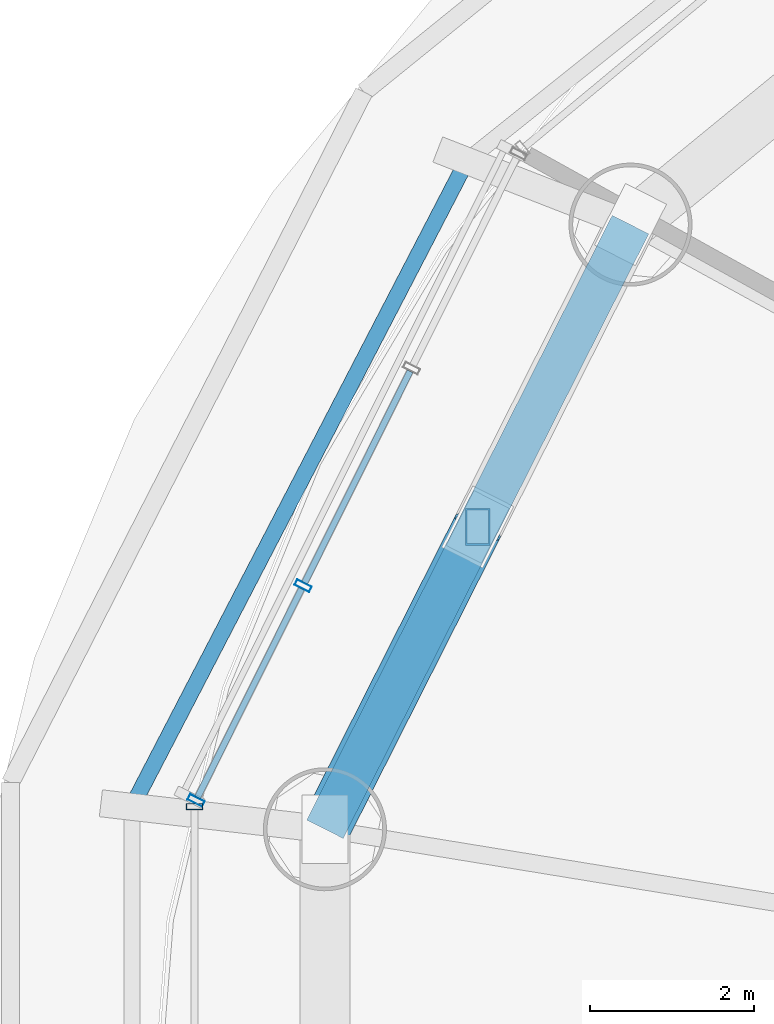
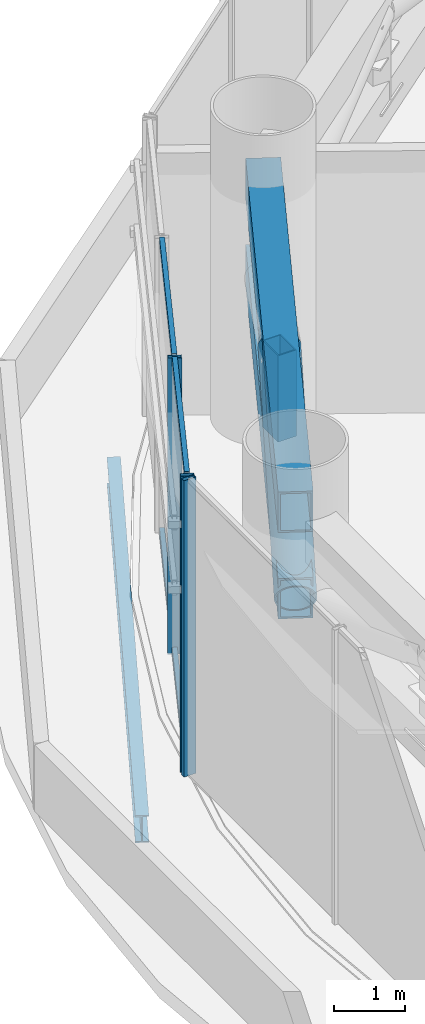
# One storey, part 10 of 33: 11 members, 1 beam, 2 elements without a shape of their own.
"""IFC4 building model written with IfcOpenShell, lengths in metres."""

from ifc_helpers import new_model, si_unit, direction, frame, origin, origin_2d, place, context, subcontext, project, spatial, hollow_rectangle, hollow_circle, i_section, extrude, source, transform, mapped, material, material_profile, profile_set, type_object, element, aggregate, save


model = new_model("IFC4")

# Units and contexts
model_context = context("Model", 3, precision=1e-05, world=origin(), true_north=direction((-0.2419218956, 0.970295726276)))
body_context = subcontext(model_context, "Body", "Model", "MODEL_VIEW")
ifc_project = project(units=[si_unit("LENGTHUNIT", "METRE"), si_unit("AREAUNIT", "SQUARE_METRE"), si_unit("VOLUMEUNIT", "CUBIC_METRE"), si_unit("PLANEANGLEUNIT", "RADIAN"), si_unit("MASSUNIT", "GRAM", prefix="KILO")], contexts=[model_context])

# Site, building, storey
site_placement = place(None, origin())
site = spatial("IfcSite", under=ifc_project, at=site_placement, CompositionType="ELEMENT")
building_placement = place(site_placement, origin())
building = spatial("IfcBuilding", under=site, at=building_placement, Name="Cobrevalo Terracotta Tower", CompositionType="ELEMENT")
storey_placement = place(building_placement, frame((0.0, 0.0, 74.39990234375)))
storey = spatial("IfcBuildingStorey", under=building, at=storey_placement, Name="L19", CompositionType="ELEMENT", Elevation=74.39990234375)

# Beam
ifc_material_1 = material(Name="Steel S355", Category="steel")
ifc_material_profile_1 = material_profile(ifc_material_1, i_section(OverallWidth=0.194091796875, OverallDepth=0.468994140625, WebThickness=0.011474609375, FlangeThickness=0.0205078125, at=origin_2d()), Name="W 460x106")
ifc_profile_set_1 = profile_set([ifc_material_profile_1], Name="Steel S355")
beam_type = type_object("IfcBeamType", Name="Structural Spandrel W 460x106 (Steel S355)", PredefinedType="SPANDREL", material=ifc_profile_set_1)
beam_placement = place(storey_placement, frame((15.25927734375, 38.939208984375, -0.684326171875), z_axis=(-0.460285838799, -0.88777077368, 0.0), x_axis=(0.88777077368, -0.460285838799, 0.0)))
element("IfcBeam", 1, at=beam_placement, inside=storey, type_object=beam_type, Name="L19 perimeter ring spandrel 07", PredefinedType="SPANDREL", context=body_context, shape_type="SweptSolid", body=[
    extrude(i_section(OverallWidth=0.194091796875, OverallDepth=0.468994140625, WebThickness=0.011474609375, FlangeThickness=0.0205078125, at=origin_2d()), origin(), (0.0, 0.0, 1.0), 8.8720703125),
])

# Members
ifc_material_profile_2 = material_profile(ifc_material_1, hollow_rectangle(XDim=0.5, YDim=0.699951171875, WallThickness=0.031982421875, at=origin_2d()), Name="RHS 700x500x32")
ifc_profile_set_2 = profile_set([ifc_material_profile_2], Name="Steel S355")
member_type_1 = type_object("IfcMemberType", Name="Steel Chord RHS 700x500x32 (Steel S355)", PredefinedType="CHORD", material=ifc_profile_set_2)
shared_shape_1 = source(origin(), body_context, "Body", "SweptSolid", [
    extrude(hollow_rectangle(XDim=0.5, YDim=0.699951171875, WallThickness=0.031982421875, at=origin_2d()), origin(), (0.0, 0.0, 1.0), 8.259765625),
])
for number, where, z_axis, x_axis, name in (
    (2, (17.2548828125, 38.161376953125, 2.650146484375), (-0.451051982172, -0.892497680321, 0.0), (0.892497680321, -0.451051982172, 0.0), "L19 belt truss chord 07-BC"),
    (3, (17.2548828125, 38.161376953125, 4.14501953125), (-0.451051982172, -0.892497680321, 0.0), (0.892497680321, -0.451051982172, 0.0), "L19 belt truss chord 07-TC"),
):
    element("IfcMember", number, at=place(storey_placement, frame(where, z_axis=z_axis, x_axis=x_axis)), inside=storey, type_object=member_type_1, Name=name, PredefinedType="CHORD", context=body_context, shape_type="MappedRepresentation", body=[
        mapped(shared_shape_1, transform((0.0, 0.0, 0.0), scale=1.0)),
    ])
ifc_material_profile_3 = material_profile(ifc_material_1, hollow_rectangle(XDim=0.300048828125, YDim=0.449951171875, WallThickness=0.02001953125, at=origin_2d()), Name="RHS 450x300x20")
ifc_profile_set_3 = profile_set([ifc_material_profile_3], Name="Steel S355")
member_type_2 = type_object("IfcMemberType", Name="Steel Post RHS 450x300x20 (Steel S355)", PredefinedType="POST", material=ifc_profile_set_3)
shared_shape_2 = source(origin(), body_context, "Body", "SweptSolid", [
    extrude(hollow_rectangle(XDim=0.300048828125, YDim=0.449951171875, WallThickness=0.02001953125, at=origin_2d()), origin(), (0.0, 0.0, 1.0), 1.494873046875),
])
member_1_placement = place(storey_placement, frame((15.39208984375, 34.4755859375, 2.650146484375), z_axis=(0.0, 0.0, 1.0), x_axis=(1.0, 0.0, 0.0)))
element("IfcMember", 4, at=member_1_placement, inside=storey, type_object=member_type_2, Name="L19 belt truss post 07", PredefinedType="POST", context=body_context, shape_type="MappedRepresentation", body=[
    mapped(shared_shape_2, transform((0.0, 0.0, 0.0), scale=1.0)),
])
ifc_material_profile_4 = material_profile(ifc_material_1, hollow_circle(Radius=0.304931640625, WallThickness=0.02490234375, at=origin_2d()), Name="CHS 610x25")
ifc_profile_set_4 = profile_set([ifc_material_profile_4], Name="Steel S355")
member_type_3 = type_object("IfcMemberType", Name="Steel Brace CHS 610x25 (Steel S355)", PredefinedType="BRACE", material=ifc_profile_set_4)
shared_shape_3 = source(origin(), body_context, "Body", "SweptSolid", [
    extrude(hollow_circle(Radius=0.304931640625, WallThickness=0.02490234375, at=origin_2d()), origin(), (0.0, 0.0, 1.0), 4.39208984375),
])
member_2_placement = place(storey_placement, frame((13.529296875, 30.78955078125, 2.650146484375), z_axis=(0.424113025745, 0.839221292622, 0.340346534291), x_axis=(-0.892503693554, 0.451040083575, 0.0)))
element("IfcMember", 5, at=member_2_placement, inside=storey, type_object=member_type_3, Name="L19 belt truss diagonal brace 07-D2", PredefinedType="BRACE", context=body_context, shape_type="MappedRepresentation", body=[
    mapped(shared_shape_3, transform((0.0, 0.0, 0.0), scale=1.0)),
])

# Curtain wall, members
ifc_material_2 = material(Name="Anodized aluminium", Category="aluminium")
curtain_wall_type = type_object("IfcCurtainWallType", Name="Belt-truss plant acoustic weather-louvre curtain wall CW-LV", PredefinedType="NOTDEFINED", material=ifc_material_2)
curtain_wall_1_placement = place(storey_placement, origin())
curtain_wall_1 = element("IfcCurtainWall", 6, at=curtain_wall_1_placement, inside=storey, type_object=curtain_wall_type, Name="L19 curtain wall CW-LV-L19-S07", PredefinedType="NOTDEFINED")
ifc_material_profile_5 = material_profile(ifc_material_2, hollow_rectangle(XDim=0.074951171875, YDim=0.199951171875, WallThickness=0.0048828125, at=origin_2d()), Name="CWM 75x200")
ifc_profile_set_5 = profile_set([ifc_material_profile_5], Name="Anodized aluminium")
member_type_4 = type_object("IfcMemberType", Name="Lower/mid tower unitised mullion 75x200", PredefinedType="MULLION", material=ifc_profile_set_5)
shared_shape_4 = source(origin(), body_context, "Body", "SweptSolid", [
    extrude(hollow_rectangle(XDim=0.074951171875, YDim=0.199951171875, WallThickness=0.0048828125, at=origin_2d()), origin(), (0.0, 0.0, 1.0), 5.125),
])
member_3_placement = place(storey_placement, frame((13.262939453125, 33.757568359375, 0.0), z_axis=(0.0, 0.0, 1.0), x_axis=(-0.446260290227, -0.894903208937, 0.0)))
member_3 = element("IfcMember", 7, at=member_3_placement, type_object=member_type_4, Name="CW-LV-L19-S07 vertical mullion 03", PredefinedType="MULLION", context=body_context, shape_type="MappedRepresentation", body=[
    mapped(shared_shape_4, transform((0.0, 0.0, 0.0), scale=1.0)),
])
member_4_placement = place(storey_placement, frame((11.95849609375, 31.141357421875, 0.0), z_axis=(0.0, 0.0, 1.0), x_axis=(-0.446260290227, -0.894903208937, 0.0)))
member_4 = element("IfcMember", 8, at=member_4_placement, type_object=member_type_4, Name="CW-LV-L19-S07 vertical mullion 04", PredefinedType="MULLION", context=body_context, shape_type="MappedRepresentation", body=[
    mapped(shared_shape_4, transform((0.0, 0.0, 0.0), scale=1.0)),
])

# Curtain wall, member
curtain_wall_2_placement = place(storey_placement, origin())
curtain_wall_2 = element("IfcCurtainWall", 9, at=curtain_wall_2_placement, inside=storey, type_object=curtain_wall_type, Name="L19 curtain wall CW-LV-L19-S08", PredefinedType="NOTDEFINED")
member_5_placement = place(storey_placement, frame((11.9404296875, 31.065673828125, 0.0), z_axis=(0.0, 0.0, 1.0), x_axis=(0.0, -1.0, 0.0)))
member_5 = element("IfcMember", 10, at=member_5_placement, type_object=member_type_4, Name="CW-LV-L19-S08 vertical mullion 01", PredefinedType="MULLION", context=body_context, shape_type="MappedRepresentation", body=[
    mapped(shared_shape_4, transform((0.0, 0.0, 0.0), scale=1.0)),
])
aggregate(curtain_wall_2, [member_5])

# Member
ifc_material_profile_6 = material_profile(ifc_material_2, hollow_rectangle(XDim=0.074951171875, YDim=0.14990234375, WallThickness=0.00439453125, at=origin_2d()), Name="CWT 75x150")
ifc_profile_set_6 = profile_set([ifc_material_profile_6], Name="Anodized aluminium")
member_type_5 = type_object("IfcMemberType", Name="Tower unitised aluminium transom 75x150", PredefinedType="USERDEFINED", material=ifc_profile_set_6)
shared_shape_5 = source(origin(), body_context, "Body", "SweptSolid", [
    extrude(hollow_rectangle(XDim=0.074951171875, YDim=0.14990234375, WallThickness=0.00439453125, at=origin_2d()), origin(), (0.0, 0.0, 1.0), 2.84326171875),
])
member_6_placement = place(storey_placement, frame((13.2451171875, 33.7216796875, 0.050048828125), z_axis=(-0.446251624805, -0.89490753006, 0.0), x_axis=(0.89490753006, -0.446251624805, 0.0)))
member_6 = element("IfcMember", 11, at=member_6_placement, type_object=member_type_5, Name="CW-LV-L19-S07 transom B03-T1", ObjectType="TRANSOM", PredefinedType="USERDEFINED", context=body_context, shape_type="MappedRepresentation", body=[
    mapped(shared_shape_5, transform((0.0, 0.0, 0.0), scale=1.0)),
])

member_7_placement = place(storey_placement, frame((13.2451171875, 33.7216796875, 5.0751953125), z_axis=(-0.446251624805, -0.89490753006, 0.0), x_axis=(0.89490753006, -0.446251624805, 0.0)))
member_7 = element("IfcMember", 12, at=member_7_placement, type_object=member_type_5, Name="CW-LV-L19-S07 transom B03-T2", ObjectType="TRANSOM", PredefinedType="USERDEFINED", context=body_context, shape_type="MappedRepresentation", body=[
    mapped(shared_shape_5, transform((0.0, 0.0, 0.0), scale=1.0)),
])

shared_shape_6 = source(origin(), body_context, "Body", "SweptSolid", [
    extrude(hollow_rectangle(XDim=0.074951171875, YDim=0.14990234375, WallThickness=0.00439453125, at=origin_2d()), origin(), (0.0, 0.0, 1.0), 2.88330078125),
])
member_8_placement = place(storey_placement, frame((14.567626953125, 36.373779296875, 0.050048828125), z_axis=(-0.446298918912, -0.894883944977, 0.0), x_axis=(0.894883944977, -0.446298918912, 0.0)))
member_8 = element("IfcMember", 13, at=member_8_placement, type_object=member_type_5, Name="CW-LV-L19-S07 transom B02-T1", ObjectType="TRANSOM", PredefinedType="USERDEFINED", context=body_context, shape_type="MappedRepresentation", body=[
    mapped(shared_shape_6, transform((0.0, 0.0, 0.0), scale=1.0)),
])

member_9_placement = place(storey_placement, frame((14.567626953125, 36.373779296875, 5.0751953125), z_axis=(-0.446298918912, -0.894883944977, 0.0), x_axis=(0.894883944977, -0.446298918912, 0.0)))
member_9 = element("IfcMember", 14, at=member_9_placement, type_object=member_type_5, Name="CW-LV-L19-S07 transom B02-T2", ObjectType="TRANSOM", PredefinedType="USERDEFINED", context=body_context, shape_type="MappedRepresentation", body=[
    mapped(shared_shape_6, transform((0.0, 0.0, 0.0), scale=1.0)),
])

aggregate(curtain_wall_1, [member_3, member_4, member_8, member_9, member_6, member_7])

save(model, "model.ifc")
